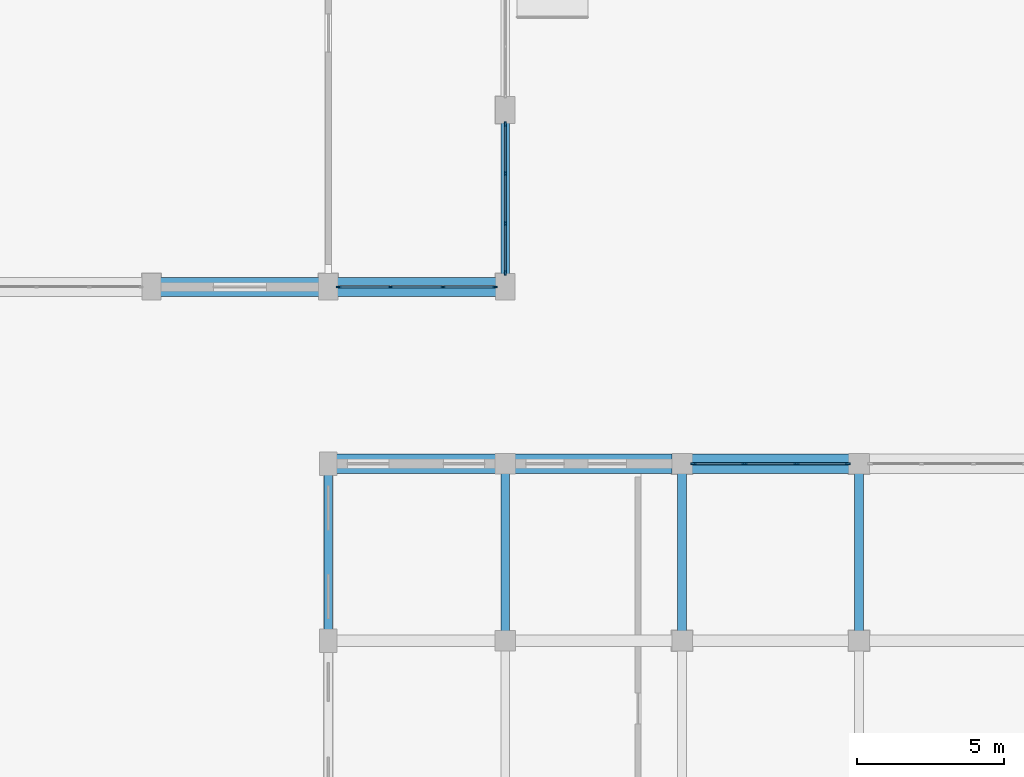
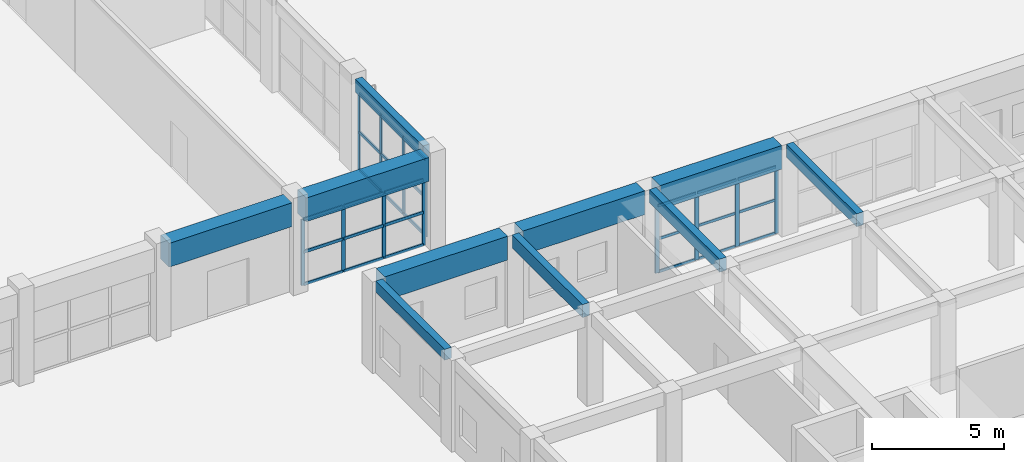
# One storey, part 18 of 76: 39 members, 10 beams, 3 elements without a shape of their own.
"""IFC4 building model written with IfcOpenShell, lengths in metres."""

from ifc_helpers import new_model, si_unit, direction, frame, origin, origin_2d, place, context, subcontext, project, spatial, rectangle, extrude, material, layer, layer_set, material_profile, profile_set, type_object, element, aggregate, save


model = new_model("IFC4")

# Units and contexts
model_context = context("Model", 3, precision=1e-05, world=origin(), true_north=direction((0.0, 1.0)))
body_context = subcontext(model_context, "Body", "Model", "MODEL_VIEW")
ifc_project = project(units=[si_unit("LENGTHUNIT", "METRE"), si_unit("AREAUNIT", "SQUARE_METRE"), si_unit("VOLUMEUNIT", "CUBIC_METRE"), si_unit("PLANEANGLEUNIT", "RADIAN"), si_unit("MASSUNIT", "GRAM", prefix="KILO"), si_unit("POWERUNIT", "WATT"), si_unit("THERMODYNAMICTEMPERATUREUNIT", "KELVIN")], contexts=[model_context])

# Site, building, storey
site_placement = place(None, origin())
site = spatial("IfcSite", under=ifc_project, at=site_placement, CompositionType="ELEMENT")
building_placement = place(site_placement, origin())
building = spatial("IfcBuilding", under=site, at=building_placement, Name="Ruvembo Vaulted Housing Court", CompositionType="ELEMENT")
storey_placement = place(building_placement, origin())
storey = spatial("IfcBuildingStorey", under=building, at=storey_placement, Name="L00", CompositionType="ELEMENT", Elevation=0.0)

# Beams
ifc_material_1 = material(Name="Concrete C35/45", Category="concrete")
ifc_material_profile_1 = material_profile(ifc_material_1, rectangle(XDim=0.300048828125, YDim=0.60009765625, at=origin_2d()), Name="RC 300x600")
ifc_profile_set_1 = profile_set([ifc_material_profile_1], Name="Concrete C35/45")
beam_type_1 = type_object("IfcBeamType", Name="BM-RC-300x600", PredefinedType="BEAM", material=ifc_profile_set_1)
beam_1_placement = place(storey_placement, frame((108.0, 30.3349609375, 3.929931640625), z_axis=(0.0, 1.0, 0.0), x_axis=(-1.0, 0.0, 0.0)))
element("IfcBeam", 1, at=beam_1_placement, inside=storey, type_object=beam_type_1, Name="L00 Grid Beam Y #1044", PredefinedType="BEAM", context=body_context, shape_type="SweptSolid", body=[
    extrude(rectangle(XDim=0.300048828125, YDim=0.60009765625, at=origin_2d()), origin(), (0.0, 0.0, 1.0), 5.330078125),
])
beam_2_placement = place(storey_placement, frame((108.0, 42.43505859375, 3.929931640625), z_axis=(0.0, 1.0, 0.0), x_axis=(-1.0, 0.0, 0.0)))
element("IfcBeam", 2, at=beam_2_placement, inside=storey, type_object=beam_type_1, Name="L00 Grid Beam Y #1045", PredefinedType="BEAM", context=body_context, shape_type="SweptSolid", body=[
    extrude(rectangle(XDim=0.300048828125, YDim=0.60009765625, at=origin_2d()), origin(), (0.0, 0.0, 1.0), 5.1298828125),
])
for number, where, z_axis, x_axis, name in (
    (3, (114.0, 30.3349609375, 3.929931640625), (0.0, 1.0, 0.0), (-1.0, 0.0, 0.0), "L00 Grid Beam Y #1053"),
    (4, (120.0, 30.3349609375, 3.929931640625), (0.0, 1.0, 0.0), (-1.0, 0.0, 0.0), "L00 Grid Beam Y #1057"),
):
    element("IfcBeam", number, at=place(storey_placement, frame(where, z_axis=z_axis, x_axis=x_axis)), inside=storey, type_object=beam_type_1, Name=name, PredefinedType="BEAM", context=body_context, shape_type="SweptSolid", body=[
        extrude(rectangle(XDim=0.300048828125, YDim=0.60009765625, at=origin_2d()), origin(), (0.0, 0.0, 1.0), 5.330078125),
    ])

# Curtain wall, members
ifc_material_2 = material(Name="Anodised Aluminium and Solar-Control Glass", Category="aluminium")
ifc_layer_1 = layer(ifc_material_2, 0.159912109375, Name="Anodised Aluminium and Solar-Control Glass")
ifc_layer_set_1 = layer_set([ifc_layer_1], Name="Anodised Aluminium and Solar-Control Glass")
curtain_wall_type_1 = type_object("IfcCurtainWallType", Name="CW-LOBBY", PredefinedType="NOTDEFINED", material=ifc_layer_set_1)
curtain_wall_1_placement = place(storey_placement, origin())
curtain_wall_1 = element("IfcCurtainWall", 5, at=curtain_wall_1_placement, inside=storey, type_object=curtain_wall_type_1, Name="L00 Curtain Wall CW-L00-0006", PredefinedType="NOTDEFINED")
ifc_material_3 = material(Name="Anodised Aluminium 6063-T6", Category="aluminium")
ifc_material_profile_2 = material_profile(ifc_material_3, rectangle(XDim=0.06494140625, YDim=0.179931640625, at=origin_2d()), Name="ALU 65x180")
ifc_profile_set_2 = profile_set([ifc_material_profile_2], Name="Anodised Aluminium 6063-T6")
member_type_1 = type_object("IfcMemberType", Name="CW-MUL-65x180", PredefinedType="MULLION", material=ifc_profile_set_2)
member_1_placement = place(storey_placement, frame((119.617431640625, 36.0, 0.0), z_axis=(0.0, 0.0, 1.0), x_axis=(0.0, -1.0, 0.0)))
member_1 = element("IfcMember", 6, at=member_1_placement, type_object=member_type_1, Name="CW5 mullion 1", PredefinedType="MULLION", context=body_context, shape_type="SweptSolid", body=[
    extrude(rectangle(XDim=0.06494140625, YDim=0.179931640625, at=origin_2d()), origin(), (0.0, 0.0, 1.0), 3.112060546875),
])
member_2_placement = place(storey_placement, frame((117.88330078125, 36.0, 0.0), z_axis=(0.0, 0.0, 1.0), x_axis=(0.0, -1.0, 0.0)))
member_2 = element("IfcMember", 7, at=member_2_placement, type_object=member_type_1, Name="CW5 mullion 2", PredefinedType="MULLION", context=body_context, shape_type="SweptSolid", body=[
    extrude(rectangle(XDim=0.06494140625, YDim=0.179931640625, at=origin_2d()), origin(), (0.0, 0.0, 1.0), 3.112060546875),
])
member_3_placement = place(storey_placement, frame((116.11669921875, 36.0, 0.0), z_axis=(0.0, 0.0, 1.0), x_axis=(0.0, -1.0, 0.0)))
member_3 = element("IfcMember", 8, at=member_3_placement, type_object=member_type_1, Name="CW5 mullion 3", PredefinedType="MULLION", context=body_context, shape_type="SweptSolid", body=[
    extrude(rectangle(XDim=0.06494140625, YDim=0.179931640625, at=origin_2d()), origin(), (0.0, 0.0, 1.0), 3.112060546875),
])
member_4_placement = place(storey_placement, frame((114.382568359375, 36.0, 0.0), z_axis=(0.0, 0.0, 1.0), x_axis=(0.0, -1.0, 0.0)))
member_4 = element("IfcMember", 9, at=member_4_placement, type_object=member_type_1, Name="CW5 mullion 4", PredefinedType="MULLION", context=body_context, shape_type="SweptSolid", body=[
    extrude(rectangle(XDim=0.06494140625, YDim=0.179931640625, at=origin_2d()), origin(), (0.0, 0.0, 1.0), 3.112060546875),
])

ifc_layer_2 = layer(ifc_material_2, 0.159912109375, Name="Anodised Aluminium and Solar-Control Glass")
ifc_layer_set_2 = layer_set([ifc_layer_2], Name="Anodised Aluminium and Solar-Control Glass")
curtain_wall_type_2 = type_object("IfcCurtainWallType", Name="CW-HALL-SIDE", PredefinedType="NOTDEFINED", material=ifc_layer_set_2)
curtain_wall_2_placement = place(storey_placement, origin())
curtain_wall_2 = element("IfcCurtainWall", 10, at=curtain_wall_2_placement, inside=storey, type_object=curtain_wall_type_2, Name="L00 Curtain Wall CW-L00-0109", PredefinedType="NOTDEFINED")
ifc_material_profile_3 = material_profile(ifc_material_3, rectangle(XDim=0.06005859375, YDim=0.159912109375, at=origin_2d()), Name="ALU 60x160")
ifc_profile_set_3 = profile_set([ifc_material_profile_3], Name="Anodised Aluminium 6063-T6")
member_type_2 = type_object("IfcMemberType", Name="CW-MULLION-65x150", PredefinedType="MULLION", material=ifc_profile_set_3)
member_5_placement = place(storey_placement, frame((102.35498046875, 42.0, 0.0), z_axis=(0.0, 0.0, 1.0), x_axis=(0.0, 1.0, 0.0)))
member_5 = element("IfcMember", 11, at=member_5_placement, type_object=member_type_2, Name="CW1 mullion 1", PredefinedType="MULLION", context=body_context, shape_type="SweptSolid", body=[
    extrude(rectangle(XDim=0.06005859375, YDim=0.159912109375, at=origin_2d()), origin(), (0.0, 0.0, 1.0), 3.06201171875),
])
member_6_placement = place(storey_placement, frame((104.1083984375, 42.0, 0.0), z_axis=(0.0, 0.0, 1.0), x_axis=(0.0, 1.0, 0.0)))
member_6 = element("IfcMember", 12, at=member_6_placement, type_object=member_type_2, Name="CW1 mullion 2", PredefinedType="MULLION", context=body_context, shape_type="SweptSolid", body=[
    extrude(rectangle(XDim=0.06005859375, YDim=0.159912109375, at=origin_2d()), origin(), (0.0, 0.0, 1.0), 3.06201171875),
])
member_7_placement = place(storey_placement, frame((105.8916015625, 42.0, 0.0), z_axis=(0.0, 0.0, 1.0), x_axis=(0.0, 1.0, 0.0)))
member_7 = element("IfcMember", 13, at=member_7_placement, type_object=member_type_2, Name="CW1 mullion 3", PredefinedType="MULLION", context=body_context, shape_type="SweptSolid", body=[
    extrude(rectangle(XDim=0.06005859375, YDim=0.159912109375, at=origin_2d()), origin(), (0.0, 0.0, 1.0), 3.06201171875),
])
member_8_placement = place(storey_placement, frame((107.64501953125, 42.0, 0.0), z_axis=(0.0, 0.0, 1.0), x_axis=(0.0, 1.0, 0.0)))
member_8 = element("IfcMember", 14, at=member_8_placement, type_object=member_type_2, Name="CW1 mullion 4", PredefinedType="MULLION", context=body_context, shape_type="SweptSolid", body=[
    extrude(rectangle(XDim=0.06005859375, YDim=0.159912109375, at=origin_2d()), origin(), (0.0, 0.0, 1.0), 3.06201171875),
])

ifc_layer_3 = layer(ifc_material_2, 0.179931640625, Name="Anodised Aluminium and Solar-Control Glass")
ifc_layer_set_3 = layer_set([ifc_layer_3], Name="Anodised Aluminium and Solar-Control Glass")
curtain_wall_type_3 = type_object("IfcCurtainWallType", Name="CW-HALL-TYMP", PredefinedType="NOTDEFINED", material=ifc_layer_set_3)
curtain_wall_3_placement = place(storey_placement, origin())
curtain_wall_3 = element("IfcCurtainWall", 15, at=curtain_wall_3_placement, inside=storey, type_object=curtain_wall_type_3, Name="L00 Curtain Wall CW-L00-0121", PredefinedType="NOTDEFINED")
member_9_placement = place(storey_placement, frame((108.0, 42.47998046875, 0.0), z_axis=(0.0, 0.0, 1.0), x_axis=(-1.0, 0.0, 0.0)))
member_9 = element("IfcMember", 16, at=member_9_placement, type_object=member_type_2, Name="CW2 mullion 1", PredefinedType="MULLION", context=body_context, shape_type="SweptSolid", body=[
    extrude(rectangle(XDim=0.06005859375, YDim=0.159912109375, at=origin_2d()), origin(), (0.0, 0.0, 1.0), 3.56201171875),
])
member_10_placement = place(storey_placement, frame((108.0, 44.14990234375, 0.0), z_axis=(0.0, 0.0, 1.0), x_axis=(-1.0, 0.0, 0.0)))
member_10 = element("IfcMember", 17, at=member_10_placement, type_object=member_type_2, Name="CW2 mullion 2", PredefinedType="MULLION", context=body_context, shape_type="SweptSolid", body=[
    extrude(rectangle(XDim=0.06005859375, YDim=0.159912109375, at=origin_2d()), origin(), (0.0, 0.0, 1.0), 3.56201171875),
])
member_11_placement = place(storey_placement, frame((108.0, 45.85009765625, 0.0), z_axis=(0.0, 0.0, 1.0), x_axis=(-1.0, 0.0, 0.0)))
member_11 = element("IfcMember", 18, at=member_11_placement, type_object=member_type_2, Name="CW2 mullion 3", PredefinedType="MULLION", context=body_context, shape_type="SweptSolid", body=[
    extrude(rectangle(XDim=0.06005859375, YDim=0.159912109375, at=origin_2d()), origin(), (0.0, 0.0, 1.0), 3.56201171875),
])
member_12_placement = place(storey_placement, frame((108.0, 47.52001953125, 0.0), z_axis=(0.0, 0.0, 1.0), x_axis=(-1.0, 0.0, 0.0)))
member_12 = element("IfcMember", 19, at=member_12_placement, type_object=member_type_2, Name="CW2 mullion 4", PredefinedType="MULLION", context=body_context, shape_type="SweptSolid", body=[
    extrude(rectangle(XDim=0.06005859375, YDim=0.159912109375, at=origin_2d()), origin(), (0.0, 0.0, 1.0), 3.56201171875),
])

# Member
ifc_material_profile_4 = material_profile(ifc_material_3, rectangle(XDim=0.06005859375, YDim=0.1201171875, at=origin_2d()), Name="ALU 60x120")
ifc_profile_set_4 = profile_set([ifc_material_profile_4], Name="Anodised Aluminium 6063-T6")
member_type_3 = type_object("IfcMemberType", Name="CW-TRANSOM-65x120", PredefinedType="USERDEFINED", material=ifc_profile_set_4)
member_13_placement = place(storey_placement, frame((119.5849609375, 36.0, 0.030029296875), z_axis=(-1.0, 0.0, 0.0), x_axis=(0.0, -1.0, 0.0)))
member_13 = element("IfcMember", 20, at=member_13_placement, type_object=member_type_3, Name="CW5 transom 1.1", ObjectType="TRANSOM", PredefinedType="USERDEFINED", context=body_context, shape_type="SweptSolid", body=[
    extrude(rectangle(XDim=0.06005859375, YDim=0.1201171875, at=origin_2d()), origin(), (0.0, 0.0, 1.0), 1.669189453125),
])

member_14_placement = place(storey_placement, frame((119.5849609375, 36.0, 1.555908203125), z_axis=(-1.0, 0.0, 0.0), x_axis=(0.0, -1.0, 0.0)))
member_14 = element("IfcMember", 21, at=member_14_placement, type_object=member_type_3, Name="CW5 transom 1.2", ObjectType="TRANSOM", PredefinedType="USERDEFINED", context=body_context, shape_type="SweptSolid", body=[
    extrude(rectangle(XDim=0.06005859375, YDim=0.1201171875, at=origin_2d()), origin(), (0.0, 0.0, 1.0), 1.669189453125),
])

member_15_placement = place(storey_placement, frame((119.5849609375, 36.0, 3.08203125), z_axis=(-1.0, 0.0, 0.0), x_axis=(0.0, -1.0, 0.0)))
member_15 = element("IfcMember", 22, at=member_15_placement, type_object=member_type_3, Name="CW5 transom 1.3", ObjectType="TRANSOM", PredefinedType="USERDEFINED", context=body_context, shape_type="SweptSolid", body=[
    extrude(rectangle(XDim=0.06005859375, YDim=0.1201171875, at=origin_2d()), origin(), (0.0, 0.0, 1.0), 1.669189453125),
])

member_16_placement = place(storey_placement, frame((117.850830078125, 36.0, 0.030029296875), z_axis=(-1.0, 0.0, 0.0), x_axis=(0.0, -1.0, 0.0)))
member_16 = element("IfcMember", 23, at=member_16_placement, type_object=member_type_3, Name="CW5 transom 2.1", ObjectType="TRANSOM", PredefinedType="USERDEFINED", context=body_context, shape_type="SweptSolid", body=[
    extrude(rectangle(XDim=0.06005859375, YDim=0.1201171875, at=origin_2d()), origin(), (0.0, 0.0, 1.0), 1.70166015625),
])

member_17_placement = place(storey_placement, frame((117.850830078125, 36.0, 1.555908203125), z_axis=(-1.0, 0.0, 0.0), x_axis=(0.0, -1.0, 0.0)))
member_17 = element("IfcMember", 24, at=member_17_placement, type_object=member_type_3, Name="CW5 transom 2.2", ObjectType="TRANSOM", PredefinedType="USERDEFINED", context=body_context, shape_type="SweptSolid", body=[
    extrude(rectangle(XDim=0.06005859375, YDim=0.1201171875, at=origin_2d()), origin(), (0.0, 0.0, 1.0), 1.70166015625),
])

member_18_placement = place(storey_placement, frame((117.850830078125, 36.0, 3.08203125), z_axis=(-1.0, 0.0, 0.0), x_axis=(0.0, -1.0, 0.0)))
member_18 = element("IfcMember", 25, at=member_18_placement, type_object=member_type_3, Name="CW5 transom 2.3", ObjectType="TRANSOM", PredefinedType="USERDEFINED", context=body_context, shape_type="SweptSolid", body=[
    extrude(rectangle(XDim=0.06005859375, YDim=0.1201171875, at=origin_2d()), origin(), (0.0, 0.0, 1.0), 1.70166015625),
])

member_19_placement = place(storey_placement, frame((116.084228515625, 36.0, 0.030029296875), z_axis=(-1.0, 0.0, 0.0), x_axis=(0.0, -1.0, 0.0)))
member_19 = element("IfcMember", 26, at=member_19_placement, type_object=member_type_3, Name="CW5 transom 3.1", ObjectType="TRANSOM", PredefinedType="USERDEFINED", context=body_context, shape_type="SweptSolid", body=[
    extrude(rectangle(XDim=0.06005859375, YDim=0.1201171875, at=origin_2d()), origin(), (0.0, 0.0, 1.0), 1.669189453125),
])

member_20_placement = place(storey_placement, frame((116.084228515625, 36.0, 1.555908203125), z_axis=(-1.0, 0.0, 0.0), x_axis=(0.0, -1.0, 0.0)))
member_20 = element("IfcMember", 27, at=member_20_placement, type_object=member_type_3, Name="CW5 transom 3.2", ObjectType="TRANSOM", PredefinedType="USERDEFINED", context=body_context, shape_type="SweptSolid", body=[
    extrude(rectangle(XDim=0.06005859375, YDim=0.1201171875, at=origin_2d()), origin(), (0.0, 0.0, 1.0), 1.669189453125),
])

member_21_placement = place(storey_placement, frame((116.084228515625, 36.0, 3.08203125), z_axis=(-1.0, 0.0, 0.0), x_axis=(0.0, -1.0, 0.0)))
member_21 = element("IfcMember", 28, at=member_21_placement, type_object=member_type_3, Name="CW5 transom 3.3", ObjectType="TRANSOM", PredefinedType="USERDEFINED", context=body_context, shape_type="SweptSolid", body=[
    extrude(rectangle(XDim=0.06005859375, YDim=0.1201171875, at=origin_2d()), origin(), (0.0, 0.0, 1.0), 1.669189453125),
])

aggregate(curtain_wall_1, [member_1, member_2, member_3, member_4, member_13, member_14, member_15, member_16, member_17, member_18, member_19, member_20, member_21])

ifc_material_profile_5 = material_profile(ifc_material_3, rectangle(XDim=0.06494140625, YDim=0.135009765625, at=origin_2d()), Name="ALU 65x135")
ifc_profile_set_5 = profile_set([ifc_material_profile_5], Name="Anodised Aluminium 6063-T6")
member_type_4 = type_object("IfcMemberType", Name="CW-TRN-65x135", PredefinedType="USERDEFINED", material=ifc_profile_set_5)
member_22_placement = place(storey_placement, frame((102.385009765625, 42.0, 0.032470703125), z_axis=(1.0, 0.0, 0.0), x_axis=(0.0, 1.0, 0.0)))
member_22 = element("IfcMember", 29, at=member_22_placement, type_object=member_type_4, Name="CW1 transom 1.1", ObjectType="TRANSOM", PredefinedType="USERDEFINED", context=body_context, shape_type="SweptSolid", body=[
    extrude(rectangle(XDim=0.06494140625, YDim=0.135009765625, at=origin_2d()), origin(), (0.0, 0.0, 1.0), 1.693359375),
])

member_23_placement = place(storey_placement, frame((102.385009765625, 42.0, 1.531005859375), z_axis=(1.0, 0.0, 0.0), x_axis=(0.0, 1.0, 0.0)))
member_23 = element("IfcMember", 30, at=member_23_placement, type_object=member_type_4, Name="CW1 transom 1.2", ObjectType="TRANSOM", PredefinedType="USERDEFINED", context=body_context, shape_type="SweptSolid", body=[
    extrude(rectangle(XDim=0.06494140625, YDim=0.135009765625, at=origin_2d()), origin(), (0.0, 0.0, 1.0), 1.693359375),
])

member_24_placement = place(storey_placement, frame((102.385009765625, 42.0, 3.029541015625), z_axis=(1.0, 0.0, 0.0), x_axis=(0.0, 1.0, 0.0)))
member_24 = element("IfcMember", 31, at=member_24_placement, type_object=member_type_4, Name="CW1 transom 1.3", ObjectType="TRANSOM", PredefinedType="USERDEFINED", context=body_context, shape_type="SweptSolid", body=[
    extrude(rectangle(XDim=0.06494140625, YDim=0.135009765625, at=origin_2d()), origin(), (0.0, 0.0, 1.0), 1.693359375),
])

member_25_placement = place(storey_placement, frame((104.138427734375, 42.0, 0.032470703125), z_axis=(1.0, 0.0, 0.0), x_axis=(0.0, 1.0, 0.0)))
member_25 = element("IfcMember", 32, at=member_25_placement, type_object=member_type_4, Name="CW1 transom 2.1", ObjectType="TRANSOM", PredefinedType="USERDEFINED", context=body_context, shape_type="SweptSolid", body=[
    extrude(rectangle(XDim=0.06494140625, YDim=0.135009765625, at=origin_2d()), origin(), (0.0, 0.0, 1.0), 1.72314453125),
])

member_26_placement = place(storey_placement, frame((104.138427734375, 42.0, 1.531005859375), z_axis=(1.0, 0.0, 0.0), x_axis=(0.0, 1.0, 0.0)))
member_26 = element("IfcMember", 33, at=member_26_placement, type_object=member_type_4, Name="CW1 transom 2.2", ObjectType="TRANSOM", PredefinedType="USERDEFINED", context=body_context, shape_type="SweptSolid", body=[
    extrude(rectangle(XDim=0.06494140625, YDim=0.135009765625, at=origin_2d()), origin(), (0.0, 0.0, 1.0), 1.72314453125),
])

member_27_placement = place(storey_placement, frame((104.138427734375, 42.0, 3.029541015625), z_axis=(1.0, 0.0, 0.0), x_axis=(0.0, 1.0, 0.0)))
member_27 = element("IfcMember", 34, at=member_27_placement, type_object=member_type_4, Name="CW1 transom 2.3", ObjectType="TRANSOM", PredefinedType="USERDEFINED", context=body_context, shape_type="SweptSolid", body=[
    extrude(rectangle(XDim=0.06494140625, YDim=0.135009765625, at=origin_2d()), origin(), (0.0, 0.0, 1.0), 1.72314453125),
])

member_28_placement = place(storey_placement, frame((105.921630859375, 42.0, 0.032470703125), z_axis=(1.0, 0.0, 0.0), x_axis=(0.0, 1.0, 0.0)))
member_28 = element("IfcMember", 35, at=member_28_placement, type_object=member_type_4, Name="CW1 transom 3.1", ObjectType="TRANSOM", PredefinedType="USERDEFINED", context=body_context, shape_type="SweptSolid", body=[
    extrude(rectangle(XDim=0.06494140625, YDim=0.135009765625, at=origin_2d()), origin(), (0.0, 0.0, 1.0), 1.693359375),
])

member_29_placement = place(storey_placement, frame((105.921630859375, 42.0, 1.531005859375), z_axis=(1.0, 0.0, 0.0), x_axis=(0.0, 1.0, 0.0)))
member_29 = element("IfcMember", 36, at=member_29_placement, type_object=member_type_4, Name="CW1 transom 3.2", ObjectType="TRANSOM", PredefinedType="USERDEFINED", context=body_context, shape_type="SweptSolid", body=[
    extrude(rectangle(XDim=0.06494140625, YDim=0.135009765625, at=origin_2d()), origin(), (0.0, 0.0, 1.0), 1.693359375),
])

member_30_placement = place(storey_placement, frame((105.921630859375, 42.0, 3.029541015625), z_axis=(1.0, 0.0, 0.0), x_axis=(0.0, 1.0, 0.0)))
member_30 = element("IfcMember", 37, at=member_30_placement, type_object=member_type_4, Name="CW1 transom 3.3", ObjectType="TRANSOM", PredefinedType="USERDEFINED", context=body_context, shape_type="SweptSolid", body=[
    extrude(rectangle(XDim=0.06494140625, YDim=0.135009765625, at=origin_2d()), origin(), (0.0, 0.0, 1.0), 1.693359375),
])

aggregate(curtain_wall_2, [member_5, member_6, member_7, member_8, member_22, member_23, member_24, member_25, member_26, member_27, member_28, member_29, member_30])

member_31_placement = place(storey_placement, frame((108.0, 42.510009765625, 0.032470703125), z_axis=(0.0, 1.0, 0.0), x_axis=(-1.0, 0.0, 0.0)))
member_31 = element("IfcMember", 38, at=member_31_placement, type_object=member_type_4, Name="CW2 transom 1.1", ObjectType="TRANSOM", PredefinedType="USERDEFINED", context=body_context, shape_type="SweptSolid", body=[
    extrude(rectangle(XDim=0.06494140625, YDim=0.135009765625, at=origin_2d()), origin(), (0.0, 0.0, 1.0), 1.610107421875),
])

member_32_placement = place(storey_placement, frame((108.0, 42.510009765625, 1.781005859375), z_axis=(0.0, 1.0, 0.0), x_axis=(-1.0, 0.0, 0.0)))
member_32 = element("IfcMember", 39, at=member_32_placement, type_object=member_type_4, Name="CW2 transom 1.2", ObjectType="TRANSOM", PredefinedType="USERDEFINED", context=body_context, shape_type="SweptSolid", body=[
    extrude(rectangle(XDim=0.06494140625, YDim=0.135009765625, at=origin_2d()), origin(), (0.0, 0.0, 1.0), 1.610107421875),
])

member_33_placement = place(storey_placement, frame((108.0, 42.510009765625, 3.529541015625), z_axis=(0.0, 1.0, 0.0), x_axis=(-1.0, 0.0, 0.0)))
member_33 = element("IfcMember", 40, at=member_33_placement, type_object=member_type_4, Name="CW2 transom 1.3", ObjectType="TRANSOM", PredefinedType="USERDEFINED", context=body_context, shape_type="SweptSolid", body=[
    extrude(rectangle(XDim=0.06494140625, YDim=0.135009765625, at=origin_2d()), origin(), (0.0, 0.0, 1.0), 1.610107421875),
])

member_34_placement = place(storey_placement, frame((108.0, 44.179931640625, 0.032470703125), z_axis=(0.0, 1.0, 0.0), x_axis=(-1.0, 0.0, 0.0)))
member_34 = element("IfcMember", 41, at=member_34_placement, type_object=member_type_4, Name="CW2 transom 2.1", ObjectType="TRANSOM", PredefinedType="USERDEFINED", context=body_context, shape_type="SweptSolid", body=[
    extrude(rectangle(XDim=0.06494140625, YDim=0.135009765625, at=origin_2d()), origin(), (0.0, 0.0, 1.0), 1.64013671875),
])

member_35_placement = place(storey_placement, frame((108.0, 44.179931640625, 1.781005859375), z_axis=(0.0, 1.0, 0.0), x_axis=(-1.0, 0.0, 0.0)))
member_35 = element("IfcMember", 42, at=member_35_placement, type_object=member_type_4, Name="CW2 transom 2.2", ObjectType="TRANSOM", PredefinedType="USERDEFINED", context=body_context, shape_type="SweptSolid", body=[
    extrude(rectangle(XDim=0.06494140625, YDim=0.135009765625, at=origin_2d()), origin(), (0.0, 0.0, 1.0), 1.64013671875),
])

member_36_placement = place(storey_placement, frame((108.0, 44.179931640625, 3.529541015625), z_axis=(0.0, 1.0, 0.0), x_axis=(-1.0, 0.0, 0.0)))
member_36 = element("IfcMember", 43, at=member_36_placement, type_object=member_type_4, Name="CW2 transom 2.3", ObjectType="TRANSOM", PredefinedType="USERDEFINED", context=body_context, shape_type="SweptSolid", body=[
    extrude(rectangle(XDim=0.06494140625, YDim=0.135009765625, at=origin_2d()), origin(), (0.0, 0.0, 1.0), 1.64013671875),
])

member_37_placement = place(storey_placement, frame((108.0, 45.8798828125, 0.032470703125), z_axis=(0.0, 1.0, 0.0), x_axis=(-1.0, 0.0, 0.0)))
member_37 = element("IfcMember", 44, at=member_37_placement, type_object=member_type_4, Name="CW2 transom 3.1", ObjectType="TRANSOM", PredefinedType="USERDEFINED", context=body_context, shape_type="SweptSolid", body=[
    extrude(rectangle(XDim=0.06494140625, YDim=0.135009765625, at=origin_2d()), origin(), (0.0, 0.0, 1.0), 1.610107421875),
])

member_38_placement = place(storey_placement, frame((108.0, 45.8798828125, 1.781005859375), z_axis=(0.0, 1.0, 0.0), x_axis=(-1.0, 0.0, 0.0)))
member_38 = element("IfcMember", 45, at=member_38_placement, type_object=member_type_4, Name="CW2 transom 3.2", ObjectType="TRANSOM", PredefinedType="USERDEFINED", context=body_context, shape_type="SweptSolid", body=[
    extrude(rectangle(XDim=0.06494140625, YDim=0.135009765625, at=origin_2d()), origin(), (0.0, 0.0, 1.0), 1.610107421875),
])

member_39_placement = place(storey_placement, frame((108.0, 45.8798828125, 3.529541015625), z_axis=(0.0, 1.0, 0.0), x_axis=(-1.0, 0.0, 0.0)))
member_39 = element("IfcMember", 46, at=member_39_placement, type_object=member_type_4, Name="CW2 transom 3.3", ObjectType="TRANSOM", PredefinedType="USERDEFINED", context=body_context, shape_type="SweptSolid", body=[
    extrude(rectangle(XDim=0.06494140625, YDim=0.135009765625, at=origin_2d()), origin(), (0.0, 0.0, 1.0), 1.610107421875),
])

aggregate(curtain_wall_3, [member_9, member_10, member_11, member_12, member_31, member_32, member_33, member_34, member_35, member_36, member_37, member_38, member_39])

# Beams
ifc_material_profile_6 = material_profile(ifc_material_1, rectangle(XDim=0.300048828125, YDim=0.5, at=origin_2d()), Name="RC 300x500")
ifc_profile_set_6 = profile_set([ifc_material_profile_6], Name="Concrete C35/45")
beam_type_2 = type_object("IfcBeamType", Name="SP-RC-300x500", PredefinedType="SPANDREL", material=ifc_profile_set_6)
beam_3_placement = place(storey_placement, frame((102.0, 30.385009765625, 3.97998046875), z_axis=(0.0, 1.0, 0.0), x_axis=(-1.0, 0.0, 0.0)))
element("IfcBeam", 47, at=beam_3_placement, inside=storey, type_object=beam_type_2, Name="L00 Grid Beam Y #1040", PredefinedType="SPANDREL", context=body_context, shape_type="SweptSolid", body=[
    extrude(rectangle(XDim=0.300048828125, YDim=0.5, at=origin_2d()), origin(), (0.0, 0.0, 1.0), 5.22998046875),
])
ifc_material_4 = material(Name="Concrete C40/50", Category="concrete")
ifc_material_profile_7 = material_profile(ifc_material_4, rectangle(XDim=0.64990234375, YDim=1.10009765625, at=origin_2d()), Name="RC 650x1100")
ifc_profile_set_7 = profile_set([ifc_material_profile_7], Name="Concrete C40/50")
beam_type_3 = type_object("IfcBeamType", Name="TB-RC-650x1100", PredefinedType="BEAM", material=ifc_profile_set_7)
beam_4_placement = place(storey_placement, frame((102.284912109375, 36.0, 3.679931640625), z_axis=(1.0, 0.0, 0.0), x_axis=(0.0, 1.0, 0.0)))
element("IfcBeam", 48, at=beam_4_placement, inside=storey, type_object=beam_type_3, Name="L00 Grid Beam X #817", PredefinedType="BEAM", context=body_context, shape_type="SweptSolid", body=[
    extrude(rectangle(XDim=0.64990234375, YDim=1.10009765625, at=origin_2d()), origin(), (0.0, 0.0, 1.0), 5.380126953125),
])
for number, where, z_axis, x_axis, name in (
    (49, (108.3349609375, 36.0, 3.679931640625), (1.0, 0.0, 0.0), (0.0, 1.0, 0.0), "L00 Grid Beam X #818"),
    (50, (114.3349609375, 36.0, 3.679931640625), (1.0, 0.0, 0.0), (0.0, 1.0, 0.0), "L00 Grid Beam X #819"),
):
    element("IfcBeam", number, at=place(storey_placement, frame(where, z_axis=z_axis, x_axis=x_axis)), inside=storey, type_object=beam_type_3, Name=name, PredefinedType="BEAM", context=body_context, shape_type="SweptSolid", body=[
        extrude(rectangle(XDim=0.64990234375, YDim=1.10009765625, at=origin_2d()), origin(), (0.0, 0.0, 1.0), 5.330078125),
    ])
for number, where, z_axis, x_axis, name in (
    (51, (96.31005859375, 42.0, 3.679931640625), (1.0, 0.0, 0.0), (0.0, 1.0, 0.0), "L00 Grid Beam X #841"),
    (52, (102.31005859375, 42.0, 3.679931640625), (1.0, 0.0, 0.0), (0.0, 1.0, 0.0), "L00 Grid Beam X #842"),
):
    element("IfcBeam", number, at=place(storey_placement, frame(where, z_axis=z_axis, x_axis=x_axis)), inside=storey, type_object=beam_type_3, Name=name, PredefinedType="BEAM", context=body_context, shape_type="SweptSolid", body=[
        extrude(rectangle(XDim=0.64990234375, YDim=1.10009765625, at=origin_2d()), origin(), (0.0, 0.0, 1.0), 5.3798828125),
    ])

save(model, "model.ifc")
